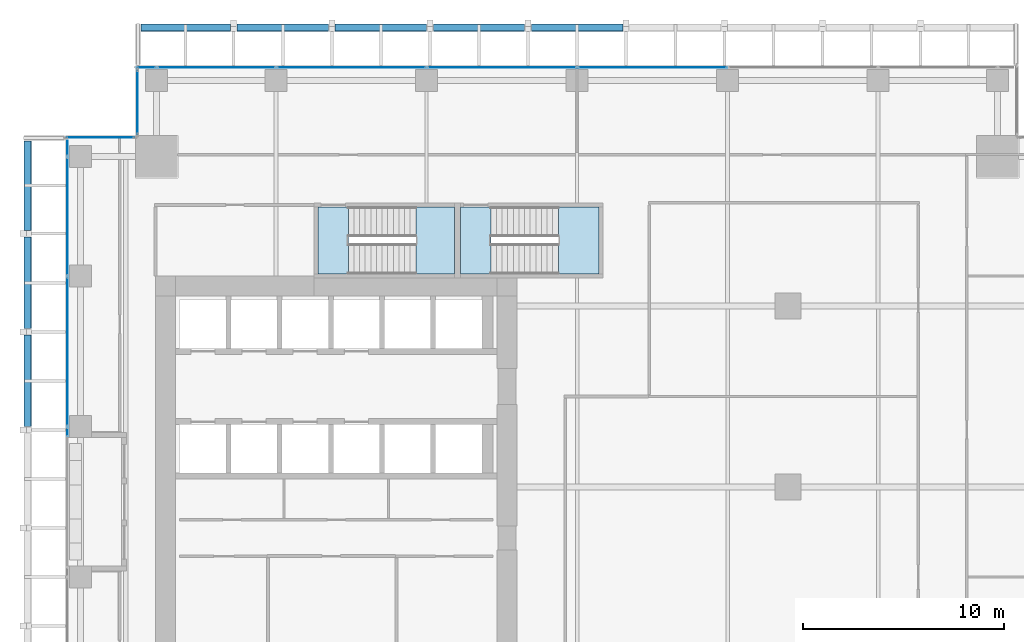
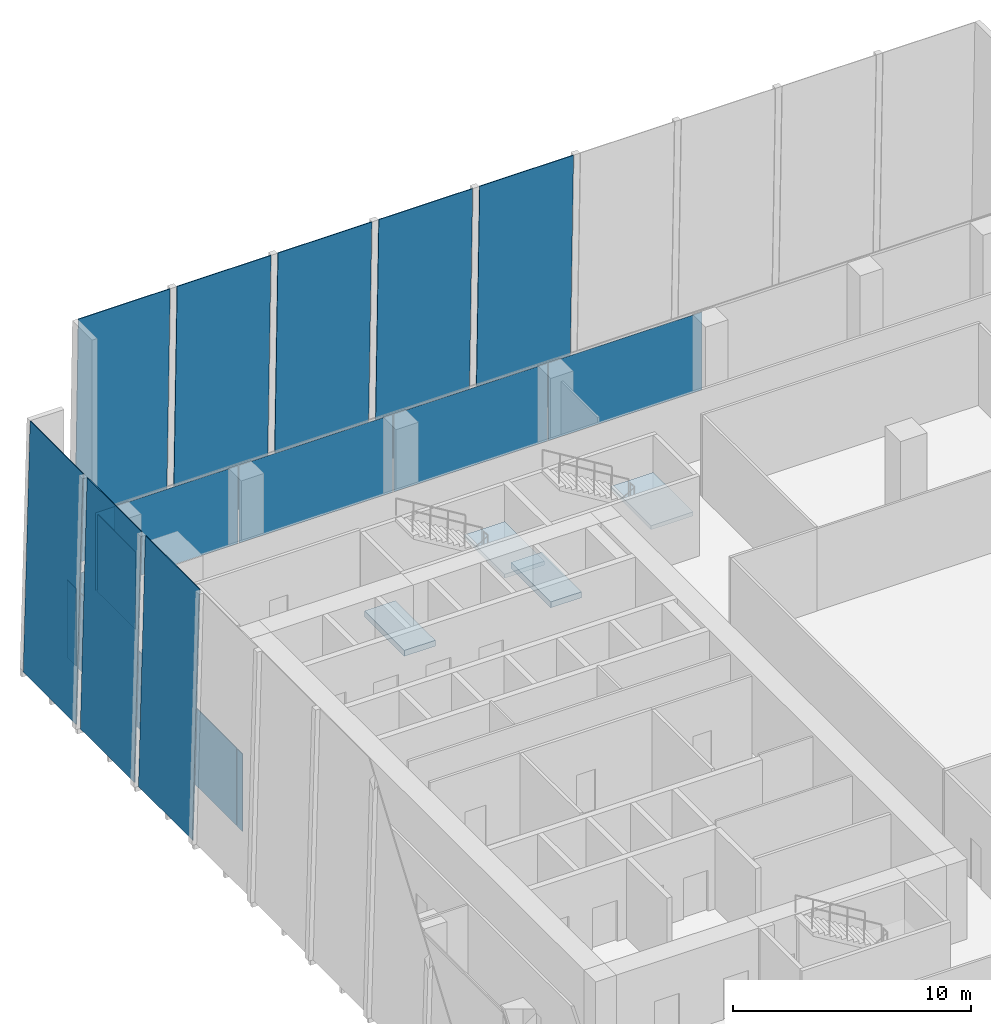
# One storey, part 25 of 35: 19 plates, 4 slabs, 6 elements without a shape of their own.
"""IFC4 building model written with IfcOpenShell, lengths in metres."""

from ifc_helpers import new_model, si_unit, direction, frame, origin, origin_2d, place, context, subcontext, project, spatial, polyline, rectangle, outline, extrude, source, transform, mapped, material, layer, layer_set, type_object, element, aggregate, save


model = new_model("IFC4")

# Units and contexts
model_context = context("Model", 3, precision=1e-05, world=origin(), true_north=direction((0.0, 1.0)))
body_context = subcontext(model_context, "Body", "Model", "MODEL_VIEW")
ifc_project = project(units=[si_unit("LENGTHUNIT", "METRE"), si_unit("AREAUNIT", "SQUARE_METRE"), si_unit("VOLUMEUNIT", "CUBIC_METRE"), si_unit("PLANEANGLEUNIT", "RADIAN"), si_unit("MASSUNIT", "GRAM", prefix="KILO")], contexts=[model_context])

# Site, building, storey
site_placement = place(None, origin())
site = spatial("IfcSite", under=ifc_project, at=site_placement, CompositionType="ELEMENT")
building_placement = place(site_placement, origin())
building = spatial("IfcBuilding", under=site, at=building_placement, Name="Khomas Fold Tower", CompositionType="ELEMENT")
storey_placement = place(building_placement, frame((0.0, 0.0, 127.89990234375)))
storey = spatial("IfcBuildingStorey", under=building, at=storey_placement, Name="L27", CompositionType="ELEMENT", Elevation=127.89990234375)

# Plates
ifc_material_1 = material(Name="Clear laminated glass", Category="glass")
ifc_layer_1 = layer(ifc_material_1, 0.0400390625)
ifc_layer_set_1 = layer_set([ifc_layer_1], Name="Clear laminated glass")
plate_type_1 = type_object("IfcPlateType", Name="SK-Clear laminated glass leaf", PredefinedType="SHEET", material=ifc_layer_set_1)
plate_1_placement = place(storey_placement, frame((5.27001953125, 54.548583984375, 0.001220703125), z_axis=(0.0, 0.999657592188, 0.026166741891), x_axis=(1.0, 0.0, 0.0)))
element("IfcPlate", 1, at=plate_1_placement, inside=storey, type_object=plate_type_1, Name="OUTER SKIN glass L27 N1", PredefinedType="SHEET", context=body_context, shape_type="SweptSolid", body=[
    extrude(outline(polyline([(0.0, 0.0), (4.448974609375, 0.0), (4.448974609375, -12.75436719496662), (0.0, -12.75436719496662), (0.0, 0.0)])), origin(), (0.0, 0.0, -1.0), 0.0400390625),
])
for number, where, z_axis, x_axis, name in (
    (2, (10.058837890625, 54.548583984375, 0.001220703125), (0.0, 0.999657592188, 0.026166741891), (1.0, 0.0, 0.0), "OUTER SKIN glass L27 N3"),
    (3, (14.94775390625, 54.548583984375, 0.001220703125), (0.0, 0.999657592188, 0.026166741891), (1.0, 0.0, 0.0), "OUTER SKIN glass L27 N5"),
    (4, (19.836669921875, 54.548583984375, 0.001220703125), (0.0, 0.999657592188, 0.026166741891), (1.0, 0.0, 0.0), "OUTER SKIN glass L27 N7"),
    (5, (24.7255859375, 54.548583984375, 0.001220703125), (0.0, 0.999657592188, 0.026166741891), (1.0, 0.0, 0.0), "OUTER SKIN glass L27 N9"),
    (6, (-0.548583984375, 34.50341796875, 0.001220703125), (-0.999657592188, 0.0, 0.026166741891), (0.0, 1.0, 0.0), "OUTER SKIN glass L27 W13"),
    (7, (-0.548583984375, 39.392333984375, 0.001220703125), (-0.999657592188, 0.0, 0.026166741891), (0.0, 1.0, 0.0), "OUTER SKIN glass L27 W15"),
):
    element("IfcPlate", number, at=place(storey_placement, frame(where, z_axis=z_axis, x_axis=x_axis)), inside=storey, type_object=plate_type_1, Name=name, PredefinedType="SHEET", context=body_context, shape_type="SweptSolid", body=[
        extrude(outline(polyline([(0.0, 0.0), (4.548828125, 0.0), (4.548828125, -12.75436719496662), (0.0, -12.75436719496662), (0.0, 0.0)])), origin(), (0.0, 0.0, -1.0), 0.0400390625),
    ])
plate_2_placement = place(storey_placement, frame((-0.548583984375, 44.281005859375, 0.001220703125), z_axis=(-0.999657592188, 0.0, 0.026166741891), x_axis=(0.0, 1.0, 0.0)))
element("IfcPlate", 8, at=plate_2_placement, inside=storey, type_object=plate_type_1, Name="OUTER SKIN glass L27 W17", PredefinedType="SHEET", context=body_context, shape_type="SweptSolid", body=[
    extrude(outline(polyline([(0.0, 0.0), (4.448974609375, 0.0), (4.448974609375, -12.75436719496662), (0.0, -12.75436719496662), (0.0, 0.0)])), origin(), (0.0, 0.0, -1.0), 0.0400390625),
])

# Curtain wall, plate
ifc_material_2 = material(Name="Aluminium framed double glazing", Category="aluminium")
curtain_wall_type = type_object("IfcCurtainWallType", Name="SK-Unitised clear-glass wall, growing floors CW1", PredefinedType="NOTDEFINED", material=ifc_material_2)
curtain_wall_1_placement = place(storey_placement, origin())
curtain_wall_1 = element("IfcCurtainWall", 9, at=curtain_wall_1_placement, inside=storey, type_object=curtain_wall_type, Name="CW1 run L27 09-0", PredefinedType="NOTDEFINED")
ifc_material_3 = material(Name="Clear double glazed unit")
ifc_layer_2 = layer(ifc_material_3, 0.031982421875)
ifc_layer_set_2 = layer_set([ifc_layer_2], Name="Clear double glazed unit")
plate_type_2 = type_object("IfcPlateType", Name="SK-Unitised clear-glass wall, growing floors glass panel CW1-P", PredefinedType="CURTAIN_PANEL", material=ifc_layer_set_2)
shared_shape_1 = source(origin(), body_context, "Body", "SweptSolid", [
    extrude(rectangle(XDim=0.760009765625, YDim=0.031982421875, at=origin_2d()), origin(), (0.0, 0.0, 1.0), 3.97998046875),
])
plate_3_placement = place(storey_placement, frame((1.60009765625, 48.360107421875, 0.0), z_axis=(0.0, 0.0, 1.0), x_axis=(0.0, -1.0, 0.0)))
plate_3 = element("IfcPlate", 10, at=plate_3_placement, type_object=plate_type_2, Name="CW1 glass panel 1", PredefinedType="CURTAIN_PANEL", context=body_context, shape_type="MappedRepresentation", body=[
    mapped(shared_shape_1, transform((0.0, 0.0, 0.0))),
])

curtain_wall_2_placement = place(storey_placement, origin())
curtain_wall_2 = element("IfcCurtainWall", 11, at=curtain_wall_2_placement, inside=storey, type_object=curtain_wall_type, Name="CW1 run L27 06-0", PredefinedType="NOTDEFINED")
shared_shape_2 = source(origin(), body_context, "Body", "SweptSolid", [
    extrude(rectangle(XDim=5.889892578125, YDim=0.031982421875, at=origin_2d()), origin(), (0.0, 0.0, 1.0), 3.97998046875),
])
plate_4_placement = place(storey_placement, frame((9.02490234375, 52.39990234375, 0.0), z_axis=(0.0, 0.0, 1.0), x_axis=(-1.0, 0.0, 0.0)))
plate_4 = element("IfcPlate", 12, at=plate_4_placement, type_object=plate_type_2, Name="CW1 glass panel 7", PredefinedType="CURTAIN_PANEL", context=body_context, shape_type="MappedRepresentation", body=[
    mapped(shared_shape_2, transform((0.0, 0.0, 0.0))),
])

# Plate
plate_5_placement = place(storey_placement, frame((1.60009765625, 44.97509765625, 0.0), z_axis=(0.0, 0.0, 1.0), x_axis=(0.0, -1.0, 0.0)))
plate_5 = element("IfcPlate", 13, at=plate_5_placement, type_object=plate_type_2, Name="CW1 glass panel 2", PredefinedType="CURTAIN_PANEL", context=body_context, shape_type="MappedRepresentation", body=[
    mapped(shared_shape_2, transform((0.0, 0.0, 0.0))),
])

shared_shape_3 = source(origin(), body_context, "Body", "SweptSolid", [
    extrude(rectangle(XDim=7.43994140625, YDim=0.031982421875, at=origin_2d()), origin(), (0.0, 0.0, 1.0), 3.97998046875),
])
plate_6_placement = place(storey_placement, frame((30.75, 52.39990234375, 0.0), z_axis=(0.0, 0.0, 1.0), x_axis=(-1.0, 0.0, 0.0)))
plate_6 = element("IfcPlate", 14, at=plate_6_placement, type_object=plate_type_2, Name="CW1 glass panel 4", PredefinedType="CURTAIN_PANEL", context=body_context, shape_type="MappedRepresentation", body=[
    mapped(shared_shape_3, transform((0.0, 0.0, 0.0))),
])

plate_7_placement = place(storey_placement, frame((23.25, 52.39990234375, 0.0), z_axis=(0.0, 0.0, 1.0), x_axis=(-1.0, 0.0, 0.0)))
plate_7 = element("IfcPlate", 15, at=plate_7_placement, type_object=plate_type_2, Name="CW1 glass panel 5", PredefinedType="CURTAIN_PANEL", context=body_context, shape_type="MappedRepresentation", body=[
    mapped(shared_shape_3, transform((0.0, 0.0, 0.0))),
])

plate_8_placement = place(storey_placement, frame((15.75, 52.39990234375, 0.0), z_axis=(0.0, 0.0, 1.0), x_axis=(-1.0, 0.0, 0.0)))
plate_8 = element("IfcPlate", 16, at=plate_8_placement, type_object=plate_type_2, Name="CW1 glass panel 6", PredefinedType="CURTAIN_PANEL", context=body_context, shape_type="MappedRepresentation", body=[
    mapped(shared_shape_3, transform((0.0, 0.0, 0.0))),
])

plate_9_placement = place(storey_placement, frame((1.60009765625, 38.25, 0.0), z_axis=(0.0, 0.0, 1.0), x_axis=(0.0, -1.0, 0.0)))
plate_9 = element("IfcPlate", 17, at=plate_9_placement, type_object=plate_type_2, Name="CW1 glass panel 3", PredefinedType="CURTAIN_PANEL", context=body_context, shape_type="MappedRepresentation", body=[
    mapped(shared_shape_3, transform((0.0, 0.0, 0.0))),
])

shared_shape_4 = source(origin(), body_context, "Body", "SweptSolid", [
    extrude(rectangle(XDim=0.9599609375, YDim=0.031982421875, at=origin_2d()), origin(), (0.0, 0.0, 1.0), 3.97998046875),
])
plate_10_placement = place(storey_placement, frame((5.5400390625, 52.39990234375, 0.0), z_axis=(0.0, 0.0, 1.0), x_axis=(-1.0, 0.0, 0.0)))
plate_10 = element("IfcPlate", 18, at=plate_10_placement, type_object=plate_type_2, Name="CW1 glass panel 8", PredefinedType="CURTAIN_PANEL", context=body_context, shape_type="MappedRepresentation", body=[
    mapped(shared_shape_4, transform((0.0, 0.0, 0.0))),
])

aggregate(curtain_wall_2, [plate_6, plate_7, plate_8, plate_4, plate_10])

# Curtain wall, plate
curtain_wall_3_placement = place(storey_placement, origin())
curtain_wall_3 = element("IfcCurtainWall", 19, at=curtain_wall_3_placement, inside=storey, type_object=curtain_wall_type, Name="CW1 corner return L27 07", PredefinedType="NOTDEFINED")
shared_shape_5 = source(origin(), body_context, "Body", "SweptSolid", [
    extrude(rectangle(XDim=3.179931640625, YDim=0.031982421875, at=origin_2d()), origin(), (0.0, 0.0, 1.0), 3.97998046875),
])
plate_11_placement = place(storey_placement, frame((5.10009765625, 50.64990234375, 0.0), z_axis=(0.0, 0.0, 1.0), x_axis=(0.0, -1.0, 0.0)))
plate_11 = element("IfcPlate", 20, at=plate_11_placement, type_object=plate_type_2, Name="CW1 glass panel 1", PredefinedType="CURTAIN_PANEL", context=body_context, shape_type="MappedRepresentation", body=[
    mapped(shared_shape_5, transform((0.0, 0.0, 0.0))),
])
aggregate(curtain_wall_3, [plate_11])

curtain_wall_4_placement = place(storey_placement, origin())
curtain_wall_4 = element("IfcCurtainWall", 21, at=curtain_wall_4_placement, inside=storey, type_object=curtain_wall_type, Name="CW1 corner return L27 08", PredefinedType="NOTDEFINED")
shared_shape_6 = source(origin(), body_context, "Body", "SweptSolid", [
    extrude(rectangle(XDim=3.3798828125, YDim=0.031982421875, at=origin_2d()), origin(), (0.0, 0.0, 1.0), 3.97998046875),
])
plate_12_placement = place(storey_placement, frame((3.25, 48.89990234375, 0.0), z_axis=(0.0, 0.0, 1.0), x_axis=(-1.0, 0.0, 0.0)))
plate_12 = element("IfcPlate", 22, at=plate_12_placement, type_object=plate_type_2, Name="CW1 glass panel 1", PredefinedType="CURTAIN_PANEL", context=body_context, shape_type="MappedRepresentation", body=[
    mapped(shared_shape_6, transform((0.0, 0.0, 0.0))),
])
aggregate(curtain_wall_4, [plate_12])

# Plate
shared_shape_7 = source(origin(), body_context, "Body", "SweptSolid", [
    extrude(rectangle(XDim=0.4599609375, YDim=0.031982421875, at=origin_2d()), origin(), (0.0, 0.0, 1.0), 3.97998046875),
])
plate_13_placement = place(storey_placement, frame((1.60009765625, 34.239990234375, 0.0), z_axis=(0.0, 0.0, 1.0), x_axis=(0.0, -1.0, 0.0)))
plate_13 = element("IfcPlate", 23, at=plate_13_placement, type_object=plate_type_2, Name="CW1 glass panel 4", PredefinedType="CURTAIN_PANEL", context=body_context, shape_type="MappedRepresentation", body=[
    mapped(shared_shape_7, transform((0.0, 0.0, 0.0))),
])

aggregate(curtain_wall_1, [plate_3, plate_5, plate_9, plate_13])

# Stair, slab
ifc_material_4 = material(Name="Concrete C40/50", Category="concrete")
stair_type_1 = type_object("IfcStairType", Name="Stair ST1", PredefinedType="HALF_TURN_STAIR", material=ifc_material_4)
stair_1_placement = place(storey_placement, origin())
stair_1 = element("IfcStair", 24, at=stair_1_placement, inside=storey, type_object=stair_type_1, Name="L27 ST1", PredefinedType="HALF_TURN_STAIR")
ifc_material_5 = material(Name="Concrete C40/50", Category="concrete")
ifc_layer_3 = layer(ifc_material_5, 0.199951171875)
ifc_layer_set_3 = layer_set([ifc_layer_3], Name="Concrete C40/50")
slab_type_1 = type_object("IfcSlabType", Name="Stair landing 200", PredefinedType="LANDING", material=ifc_layer_set_3)
shared_shape_8 = source(origin(), body_context, "Body", "SweptSolid", [
    extrude(outline(polyline([(18.9599609375, 42.10009765625), (20.89990234375, 42.10009765625), (20.89990234375, 45.449951171875), (18.9599609375, 45.449951171875), (18.9599609375, 42.10009765625)])), origin(), (0.0, 0.0, 1.0), 0.2001953125),
])
slab_1_placement = place(storey_placement, frame((0.0, 0.0, 2.0)))
slab_1 = element("IfcSlab", 25, at=slab_1_placement, type_object=slab_type_1, Name="ST1 landing 1", PredefinedType="LANDING", context=body_context, shape_type="MappedRepresentation", body=[
    mapped(shared_shape_8, transform((0.0, 0.0, 0.0))),
])
aggregate(stair_1, [slab_1])

# Slab
ifc_material_6 = material(Name="Concrete C40/50", Category="concrete")
ifc_layer_4 = layer(ifc_material_6, 0.300048828125)
ifc_layer_set_4 = layer_set([ifc_layer_4], Name="Concrete C40/50")
slab_type_2 = type_object("IfcSlabType", Name="Stair floor landing 300", PredefinedType="LANDING", material=ifc_layer_set_4)
shared_shape_9 = source(origin(), body_context, "Body", "SweptSolid", [
    extrude(outline(polyline([(15.60009765625, 42.10009765625), (14.10009765625, 42.10009765625), (14.10009765625, 45.449951171875), (15.60009765625, 45.449951171875), (15.60009765625, 42.10009765625)])), origin(), (0.0, 0.0, 1.0), 0.2998046875),
])
slab_2_placement = place(storey_placement, frame((0.0, 0.0, -0.2998046875)))
element("IfcSlab", 26, at=slab_2_placement, inside=storey, type_object=slab_type_2, Name="ST1 floor landing", PredefinedType="LANDING", context=body_context, shape_type="MappedRepresentation", body=[
    mapped(shared_shape_9, transform((0.0, 0.0, 0.0))),
])

# Stair, slab
ifc_material_7 = material(Name="Concrete C40/50", Category="concrete")
stair_type_2 = type_object("IfcStairType", Name="Stair ST3", PredefinedType="HALF_TURN_STAIR", material=ifc_material_7)
stair_2_placement = place(storey_placement, origin())
stair_2 = element("IfcStair", 27, at=stair_2_placement, inside=storey, type_object=stair_type_2, Name="L27 ST3", PredefinedType="HALF_TURN_STAIR")
shared_shape_10 = source(origin(), body_context, "Body", "SweptSolid", [
    extrude(outline(polyline([(26.06005859375, 42.10009765625), (28.10009765625, 42.10009765625), (28.10009765625, 45.449951171875), (26.06005859375, 45.449951171875), (26.06005859375, 42.10009765625)])), origin(), (0.0, 0.0, 1.0), 0.2001953125),
])
slab_3_placement = place(storey_placement, frame((0.0, 0.0, 2.0)))
slab_3 = element("IfcSlab", 28, at=slab_3_placement, type_object=slab_type_1, Name="ST3 landing 1", PredefinedType="LANDING", context=body_context, shape_type="MappedRepresentation", body=[
    mapped(shared_shape_10, transform((0.0, 0.0, 0.0))),
])
aggregate(stair_2, [slab_3])

# Slab
shared_shape_11 = source(origin(), body_context, "Body", "SweptSolid", [
    extrude(outline(polyline([(22.699951171875, 42.10009765625), (21.199951171875, 42.10009765625), (21.199951171875, 45.449951171875), (22.699951171875, 45.449951171875), (22.699951171875, 42.10009765625)])), origin(), (0.0, 0.0, 1.0), 0.2998046875),
])
slab_4_placement = place(storey_placement, frame((0.0, 0.0, -0.2998046875)))
element("IfcSlab", 29, at=slab_4_placement, inside=storey, type_object=slab_type_2, Name="ST3 floor landing", PredefinedType="LANDING", context=body_context, shape_type="MappedRepresentation", body=[
    mapped(shared_shape_11, transform((0.0, 0.0, 0.0))),
])

save(model, "model.ifc")
